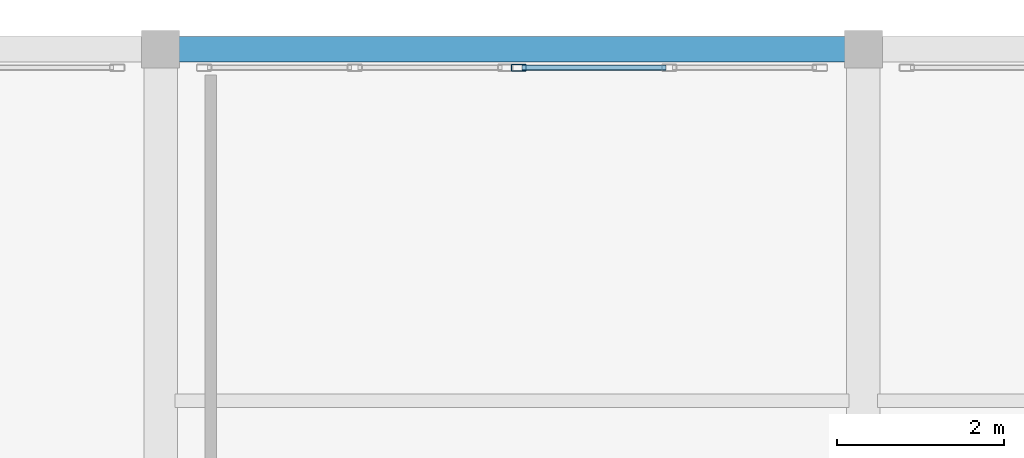
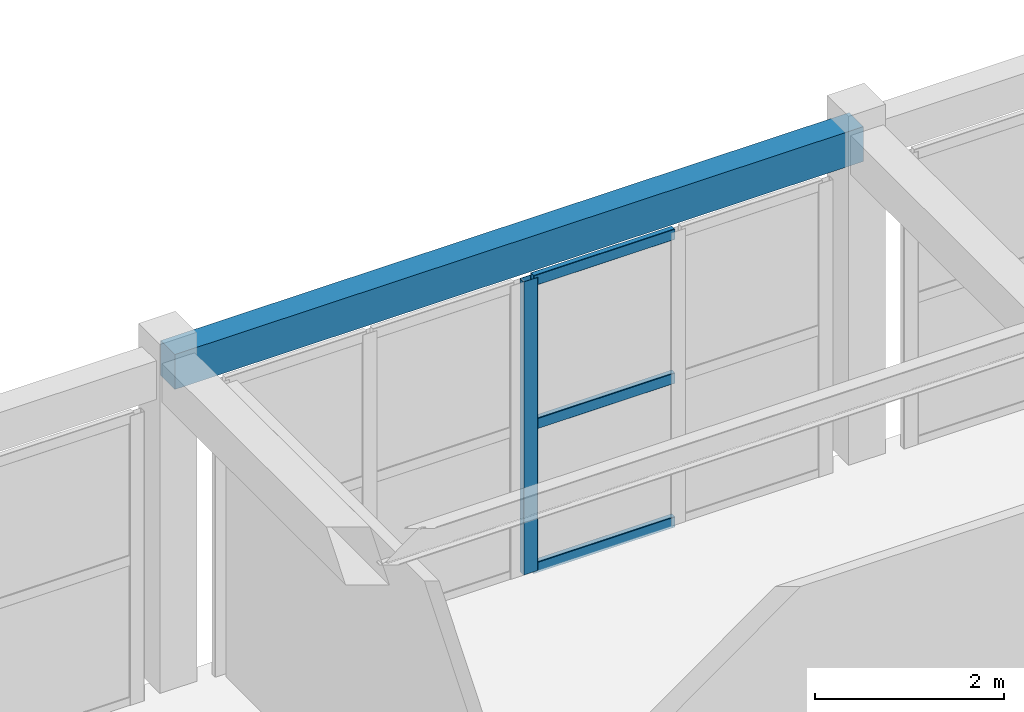
# One storey, part 41 of 91: 4 members, 1 beam, 1 element without a shape of its own.
"""IFC4 building model written with IfcOpenShell, lengths in metres."""

import ifcopenshell
import ifcopenshell.guid

model = None  # the IFC model being written
_history = None  # IfcOwnerHistory: only IFC2X3 demands one
_inside = {}  # id of a spatial element -> (the spatial element, [elements in it])
_under = {}  # id of a project, library or spatial element -> (it, [spatial elements below it])
_declared = {}  # id of a project -> (the project, [libraries it declares])
_typed = {}  # id of a type object -> (the type object, [elements of that type])
_made_of = {}  # id of a material, layer set ... -> (it, [elements and type objects made of it])


def new_model(schema):
    """Start an empty IFC model of exactly this schema.

    Asked for "IFC4X3", IfcOpenShell would pick the latest addendum, in which some entities
    have other attributes; the version numbers below select the first issue.
    IFC2X3 requires an IfcOwnerHistory on every rooted entity: one is made here for all.
    """
    global model, _history
    if schema == "IFC4X3":
        model = ifcopenshell.file(schema_version=(4, 3, 0, 0))
    else:
        model = ifcopenshell.file(schema=schema)
    _inside.clear()
    _under.clear()
    _declared.clear()
    _typed.clear()
    _made_of.clear()
    _history = None
    if model.schema == "IFC2X3":
        org = make("IfcOrganization", Name="unknown")
        user = make(
            "IfcPersonAndOrganization",
            ThePerson=make("IfcPerson", FamilyName="unknown"),
            TheOrganization=org,
        )
        app = make(
            "IfcApplication",
            ApplicationDeveloper=org,
            Version="unknown",
            ApplicationFullName="unknown",
            ApplicationIdentifier="unknown",
        )
        _history = make(
            "IfcOwnerHistory",
            OwningUser=user,
            OwningApplication=app,
            ChangeAction="ADDED",
            CreationDate=0,
        )
    return model


def make(cls, **values):
    """One entity of the class cls with the attributes given. An attribute that is None is left unset."""
    return model.create_entity(
        cls, **{name: value for name, value in values.items() if value is not None}
    )


def rooted(cls, **values):
    """An entity with a GlobalId (a new one), such as an element, a storey or a relation."""
    return make(cls, GlobalId=ifcopenshell.guid.new(), OwnerHistory=_history, **values)


def si_unit(unit_type, name, prefix=None):
    """IfcSIUnit, for example si_unit("LENGTHUNIT", "METRE", prefix="MILLI")."""
    return make("IfcSIUnit", UnitType=unit_type, Prefix=prefix, Name=name)


def assignment(units):
    """IfcUnitAssignment: the units of a project."""
    return None if units is None else make("IfcUnitAssignment", Units=units)


def point(xyz):
    """IfcCartesianPoint."""
    return None if xyz is None else make("IfcCartesianPoint", Coordinates=xyz)


def direction(xyz):
    """IfcDirection."""
    return None if xyz is None else make("IfcDirection", DirectionRatios=xyz)


def frame(location, z_axis=None, x_axis=None):
    """IfcAxis2Placement3D, a coordinate frame: its origin and axes. An axis left out is left unset."""
    return make(
        "IfcAxis2Placement3D",
        Location=point(location),
        Axis=direction(z_axis),
        RefDirection=direction(x_axis),
    )


def frame_2d(location, x_axis=None):
    """IfcAxis2Placement2D, a coordinate frame in the plane: its origin and x axis."""
    return make(
        "IfcAxis2Placement2D", Location=point(location), RefDirection=direction(x_axis)
    )


def origin():
    """The frame at (0, 0, 0) with its axes left unset."""
    return frame((0.0, 0.0, 0.0))


def origin_2d():
    """The frame at (0, 0) in the plane with its x axis left unset."""
    return frame_2d((0.0, 0.0))


def place(relative_to, where):
    """IfcLocalPlacement: puts the frame where relative to a parent placement (None: the world)."""
    return make(
        "IfcLocalPlacement", PlacementRelTo=relative_to, RelativePlacement=where
    )


def context(
    kind, dimensions, precision=None, world=None, true_north=None, identifier=None
):
    """IfcGeometricRepresentationContext, for example the 3D "Model" context."""
    return make(
        "IfcGeometricRepresentationContext",
        ContextIdentifier=identifier,
        ContextType=kind,
        CoordinateSpaceDimension=dimensions,
        Precision=precision,
        WorldCoordinateSystem=world,
        TrueNorth=true_north,
    )


def subcontext(parent, identifier, kind, view, scale=None):
    """IfcGeometricRepresentationSubContext, for example "Body" below "Model"."""
    return make(
        "IfcGeometricRepresentationSubContext",
        ContextIdentifier=identifier,
        ContextType=kind,
        ParentContext=parent,
        TargetScale=scale,
        TargetView=view,
    )


def project(units=None, contexts=None):
    """IfcProject with its units and contexts."""
    return rooted(
        "IfcProject",
        Name="project",
        RepresentationContexts=contexts,
        UnitsInContext=assignment(units),
    )


def spatial(cls, under=None, at=None, **own):
    """A site, building, storey or space (cls), placed at a placement, below another one or the project."""
    s = rooted(cls, ObjectPlacement=at, **own)
    if under is not None:
        _under.setdefault(under.id(), (under, []))[1].append(s)
    return s


def profile(cls, at=None, kind="AREA", **sizes):
    """A parametric profile (cls). Its sizes go by their IFC names, for example OverallWidth=200.0."""
    return make(cls, ProfileType=kind, Position=at, **sizes)


def rectangle(**sizes):
    """IfcRectangleProfileDef."""
    return profile("IfcRectangleProfileDef", **sizes)


def hollow_rectangle(**sizes):
    """IfcRectangleHollowProfileDef."""
    return profile("IfcRectangleHollowProfileDef", **sizes)


def extrude(swept, where, along, depth):
    """IfcExtrudedAreaSolid: the profile swept, set in the frame where, extruded along a direction by depth."""
    return make(
        "IfcExtrudedAreaSolid",
        SweptArea=swept,
        Position=where,
        ExtrudedDirection=direction(along),
        Depth=depth,
    )


def shape(context_of_items, identifier, shape_type, items):
    """IfcShapeRepresentation: the items that make up one representation, for example the "Body"."""
    return make(
        "IfcShapeRepresentation",
        ContextOfItems=context_of_items,
        RepresentationIdentifier=identifier,
        RepresentationType=shape_type,
        Items=items,
    )


def material(Name=None, Category=None):
    """IfcMaterial."""
    return make("IfcMaterial", Name=Name, Category=Category)


def layer(
    of_material, thickness, ventilated=None, Name=None, Category=None, Priority=None
):
    """IfcMaterialLayer: one layer of a wall or slab, of a material (None: an air gap)."""
    return make(
        "IfcMaterialLayer",
        Material=of_material,
        LayerThickness=thickness,
        IsVentilated=ventilated,
        Name=Name,
        Category=Category,
        Priority=Priority,
    )


def layer_set(layers, Name=None):
    """IfcMaterialLayerSet."""
    return make("IfcMaterialLayerSet", MaterialLayers=layers, LayerSetName=Name)


def material_profile(
    of_material, cross_section, Name=None, Category=None, Priority=None
):
    """IfcMaterialProfile: a cross section and its material."""
    return make(
        "IfcMaterialProfile",
        Name=Name,
        Material=of_material,
        Profile=cross_section,
        Priority=Priority,
        Category=Category,
    )


def profile_set(profiles, Name=None, composite=None):
    """IfcMaterialProfileSet."""
    return make(
        "IfcMaterialProfileSet",
        Name=Name,
        MaterialProfiles=profiles,
        CompositeProfile=composite,
    )


def made_of(thing, what):
    """Note that an element or type object is made of a material, layer set ...; save() writes the relation."""
    if what is not None:
        _made_of.setdefault(what.id(), (what, []))[1].append(thing)
    return thing


def type_object(cls, material=None, **own):
    """A type object (cls), such as IfcWallType, which elements share."""
    return made_of(rooted(cls, **own), material)


def element(
    cls,
    number,
    at=None,
    inside=None,
    cuts=None,
    type_object=None,
    material=None,
    context=None,
    identifier="Body",
    shape_type=None,
    held_by="IfcProductDefinitionShape",
    body=None,
    shapes=None,
    **own,
):
    """One element of the class cls, such as IfcWall. Its Tag is "e" and its number.

    at: its placement. inside: the storey or other place that contains it. cuts: it is an
    opening in that element (IfcRelVoidsElement). A single representation is given by context,
    identifier, shape_type and body (its items); several are given by shapes. held_by: the class
    of the entity that holds the representations. save() writes the other relations.
    """
    e = rooted(cls, Tag="e%d" % number, ObjectPlacement=at, **own)
    if body is not None:
        shapes = [shape(context, identifier, shape_type, body)]
    if shapes is not None:
        e.Representation = make(held_by, Representations=shapes)
    if inside is not None:
        _inside.setdefault(inside.id(), (inside, []))[1].append(e)
    if cuts is not None:
        rooted(
            "IfcRelVoidsElement", RelatingBuildingElement=cuts, RelatedOpeningElement=e
        )
    if type_object is not None:
        _typed.setdefault(type_object.id(), (type_object, []))[1].append(e)
    return made_of(e, material)


def aggregate(whole, parts):
    """IfcRelAggregates: a whole, such as a stair, and the parts it consists of."""
    return rooted("IfcRelAggregates", RelatingObject=whole, RelatedObjects=parts)


def save(model, path):
    """Write the relations noted so far, then the file.

    IfcRelAggregates (storeys below a building ...), IfcRelContainedInSpatialStructure (elements
    in a storey), IfcRelDefinesByType, IfcRelAssociatesMaterial and IfcRelDeclares: one each for
    every whole, place, type object, material and project.
    """
    for whole, parts in _under.values():
        aggregate(whole, parts)
    for where, things in _inside.values():
        rooted(
            "IfcRelContainedInSpatialStructure",
            RelatedElements=things,
            RelatingStructure=where,
        )
    for kind, things in _typed.values():
        rooted("IfcRelDefinesByType", RelatedObjects=things, RelatingType=kind)
    for what, things in _made_of.values():
        rooted("IfcRelAssociatesMaterial", RelatedObjects=things, RelatingMaterial=what)
    for by, libraries in _declared.values():
        rooted("IfcRelDeclares", RelatingContext=by, RelatedDefinitions=libraries)
    model.write(path)


model = new_model("IFC4")

# Units and contexts
model_context = context("Model", 3, precision=1e-05, world=origin(), true_north=direction((0.0, 1.0)))
body_context = subcontext(model_context, "Body", "Model", "MODEL_VIEW")
ifc_project = project(units=[si_unit("LENGTHUNIT", "METRE"), si_unit("AREAUNIT", "SQUARE_METRE"), si_unit("VOLUMEUNIT", "CUBIC_METRE"), si_unit("PLANEANGLEUNIT", "RADIAN"), si_unit("MASSUNIT", "GRAM", prefix="KILO")], contexts=[model_context])

# Site, building, storey
site_placement = place(None, origin())
site = spatial("IfcSite", under=ifc_project, at=site_placement, CompositionType="ELEMENT")
building_placement = place(site_placement, origin())
building = spatial("IfcBuilding", under=site, at=building_placement, Name="Tarnavel Promenade Courthouse", CompositionType="ELEMENT")
storey_placement = place(building_placement, frame((0.0, 0.0, 9.89990234375)))
storey = spatial("IfcBuildingStorey", under=building, at=storey_placement, Name="L03", CompositionType="ELEMENT", Elevation=9.89990234375)

# Beam
ifc_material_1 = material(Name="Concrete C40/50", Category="concrete")
ifc_material_profile_1 = material_profile(ifc_material_1, rectangle(XDim=0.300048828125, YDim=0.449951171875, at=origin_2d()), Name="RC 300x450")
ifc_profile_set_1 = profile_set([ifc_material_profile_1], Name="Concrete C40/50")
beam_type = type_object("IfcBeamType", Name="Concrete C40/50 BM-SP-300x450 (RC 300x450)", PredefinedType="SPANDREL", material=ifc_profile_set_1)
beam_placement = place(storey_placement, frame((58.800048828125, 112.800048828125, 4.02001953125), z_axis=(1.0, 0.0, 0.0), x_axis=(0.0, 1.0, 0.0)))
element("IfcBeam", 1, at=beam_placement, inside=storey, type_object=beam_type, Name="L03 Primary Longitudinal Beam 1677", PredefinedType="SPANDREL", context=body_context, shape_type="SweptSolid", body=[
    extrude(rectangle(XDim=0.300048828125, YDim=0.449951171875, at=origin_2d()), origin(), (0.0, 0.0, 1.0), 8.39990234375),
])

# Curtain wall, members
ifc_material_2 = material(Name="Thermally Broken Anodised Aluminium Curtain Wall System", Category="aluminium")
ifc_layer = layer(ifc_material_2, 0.199951171875)
ifc_layer_set = layer_set([ifc_layer], Name="Thermally Broken Anodised Aluminium Curtain Wall System")
curtain_wall_type = type_object("IfcCurtainWallType", Name="Thermally Broken Aluminium Triple-Glazed Curtain Wall CW-FOYER", PredefinedType="NOTDEFINED", material=ifc_layer_set)
curtain_wall_placement = place(storey_placement, origin())
curtain_wall = element("IfcCurtainWall", 2, at=curtain_wall_placement, inside=storey, type_object=curtain_wall_type, Name="L03 North Foyer Curtain Wall B 141", PredefinedType="NOTDEFINED")
ifc_material_3 = material(Name="Thermally Broken Anodised Aluminium Frame", Category="aluminium")
ifc_material_profile_2 = material_profile(ifc_material_3, hollow_rectangle(XDim=0.080078125, YDim=0.179931640625, WallThickness=0.0048828125, InnerFilletRadius=0.0048828125, OuterFilletRadius=0.010009765625, at=origin_2d()), Name="CWM 180x80x5")
ifc_profile_set_2 = profile_set([ifc_material_profile_2], Name="Thermally Broken Anodised Aluminium Frame")
member_type_1 = type_object("IfcMemberType", Name="Thermally Broken Anodised Aluminium CWM-155 (CWM 180x80x5)", PredefinedType="MULLION", material=ifc_profile_set_2)
member_1_placement = place(storey_placement, frame((63.080078125, 112.580078125, 0.0), z_axis=(0.0, 0.0, 1.0), x_axis=(0.0, 1.0, 0.0)))
member_1 = element("IfcMember", 3, at=member_1_placement, type_object=member_type_1, Name="CW-04 mullion 1", PredefinedType="MULLION", context=body_context, shape_type="SweptSolid", body=[
    extrude(hollow_rectangle(XDim=0.080078125, YDim=0.179931640625, WallThickness=0.0048828125, InnerFilletRadius=0.0048828125, OuterFilletRadius=0.010009765625, at=origin_2d()), origin(), (0.0, 0.0, 1.0), 3.780029296875),
])
ifc_material_profile_3 = material_profile(ifc_material_3, hollow_rectangle(XDim=0.070068359375, YDim=0.139892578125, WallThickness=0.0048828125, InnerFilletRadius=0.0048828125, OuterFilletRadius=0.010009765625, at=origin_2d()), Name="CWT 140x70x5")
ifc_profile_set_3 = profile_set([ifc_material_profile_3], Name="Thermally Broken Anodised Aluminium Frame")
member_type_2 = type_object("IfcMemberType", Name="Thermally Broken Anodised Aluminium CWT-125 (CWT 140x70x5)", PredefinedType="USERDEFINED", material=ifc_profile_set_3)
member_2_placement = place(storey_placement, frame((63.1201171875, 112.580078125, 0.03515625), z_axis=(1.0, 0.0, 0.0), x_axis=(0.0, 1.0, 0.0)))
member_2 = element("IfcMember", 4, at=member_2_placement, type_object=member_type_2, Name="CW-04 transom 1.1", ObjectType="TRANSOM", PredefinedType="USERDEFINED", context=body_context, shape_type="SweptSolid", body=[
    extrude(hollow_rectangle(XDim=0.070068359375, YDim=0.139892578125, WallThickness=0.0048828125, InnerFilletRadius=0.0048828125, OuterFilletRadius=0.010009765625, at=origin_2d()), origin(), (0.0, 0.0, 1.0), 1.719970703125),
])
member_3_placement = place(storey_placement, frame((63.1201171875, 112.580078125, 1.89013671875), z_axis=(1.0, 0.0, 0.0), x_axis=(0.0, 1.0, 0.0)))
member_3 = element("IfcMember", 5, at=member_3_placement, type_object=member_type_2, Name="CW-04 transom 1.2", ObjectType="TRANSOM", PredefinedType="USERDEFINED", context=body_context, shape_type="SweptSolid", body=[
    extrude(hollow_rectangle(XDim=0.070068359375, YDim=0.139892578125, WallThickness=0.0048828125, InnerFilletRadius=0.0048828125, OuterFilletRadius=0.010009765625, at=origin_2d()), origin(), (0.0, 0.0, 1.0), 1.719970703125),
])
member_4_placement = place(storey_placement, frame((63.1201171875, 112.580078125, 3.7451171875), z_axis=(1.0, 0.0, 0.0), x_axis=(0.0, 1.0, 0.0)))
member_4 = element("IfcMember", 6, at=member_4_placement, type_object=member_type_2, Name="CW-04 transom 1.3", ObjectType="TRANSOM", PredefinedType="USERDEFINED", context=body_context, shape_type="SweptSolid", body=[
    extrude(hollow_rectangle(XDim=0.070068359375, YDim=0.139892578125, WallThickness=0.0048828125, InnerFilletRadius=0.0048828125, OuterFilletRadius=0.010009765625, at=origin_2d()), origin(), (0.0, 0.0, 1.0), 1.719970703125),
])
aggregate(curtain_wall, [member_1, member_2, member_3, member_4])

save(model, "model.ifc")
